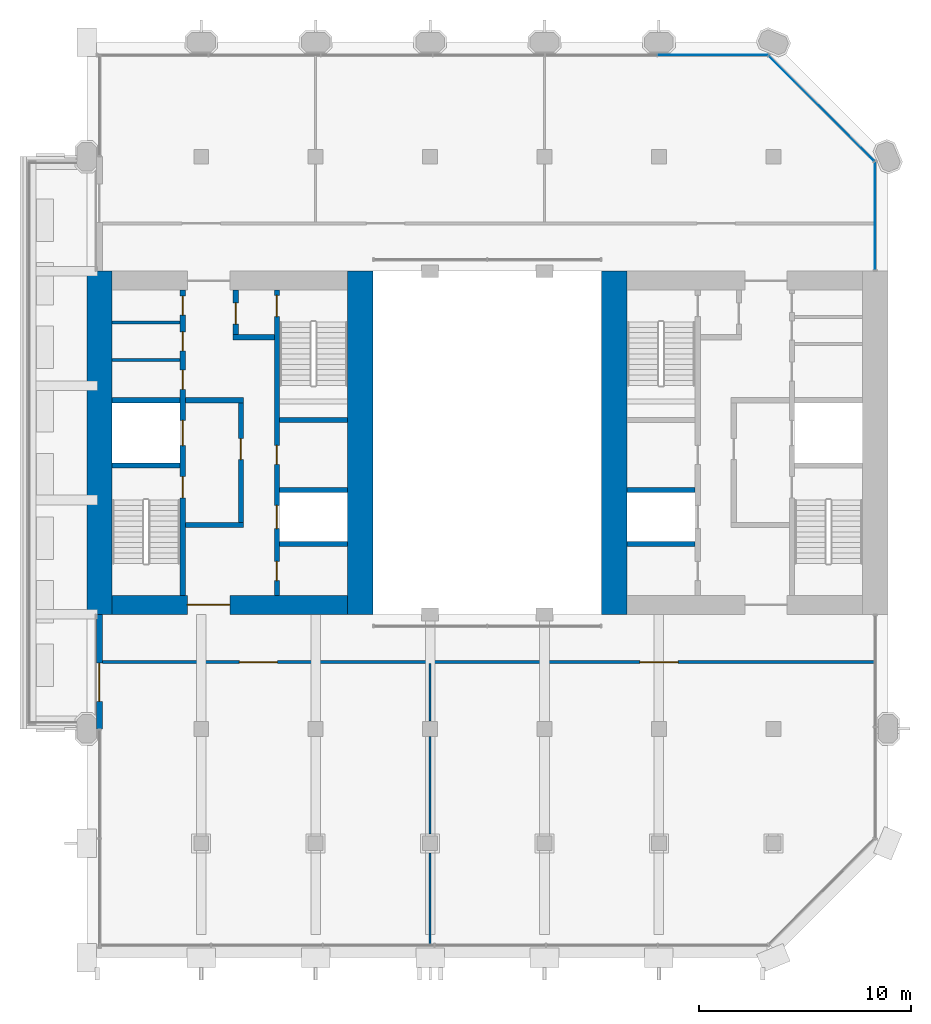
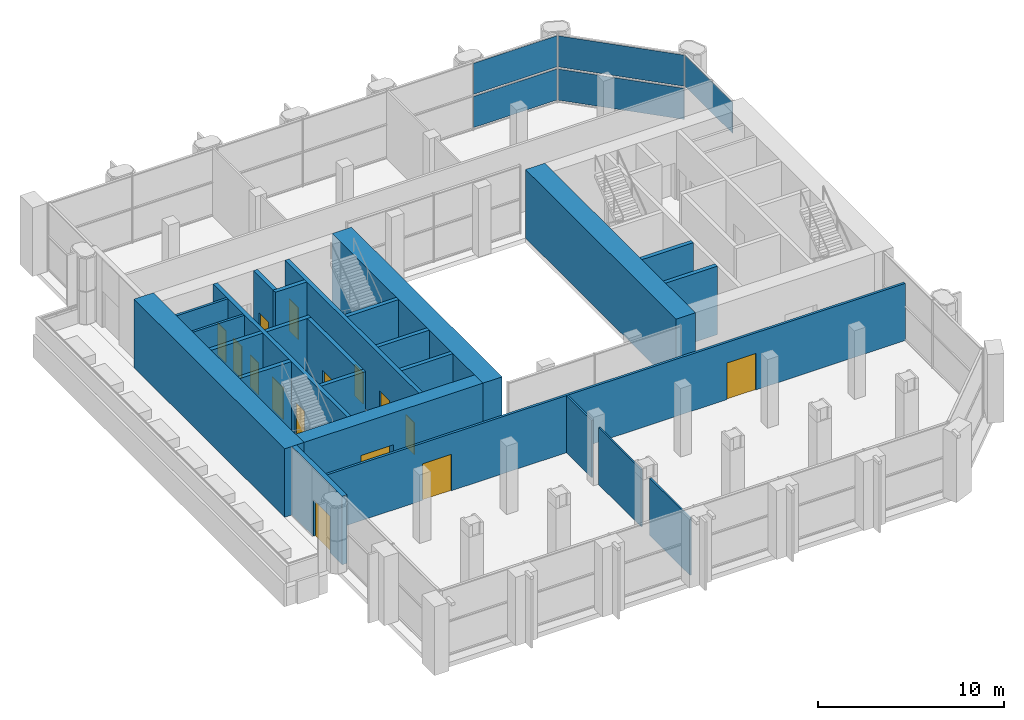
# One storey, part 9 of 14: 25 walls, 15 doors, 5 plates, 15 openings, 3 elements without a shape of their own.
"""IFC4 building model written with IfcOpenShell, lengths in metres."""

from ifc_helpers import new_model, si_unit, direction, frame, frame_2d, origin, origin_2d, place, context, subcontext, project, spatial, rectangle, extrude, material, layer, layer_set, type_object, element, fill, aggregate, save


model = new_model("IFC4")

# Units and contexts
model_context = context("Model", 3, precision=1e-05, world=origin(), true_north=direction((0.0, 1.0)))
body_context = subcontext(model_context, "Body", "Model", "MODEL_VIEW")
ifc_project = project(units=[si_unit("LENGTHUNIT", "METRE"), si_unit("AREAUNIT", "SQUARE_METRE"), si_unit("VOLUMEUNIT", "CUBIC_METRE"), si_unit("PLANEANGLEUNIT", "RADIAN"), si_unit("MASSUNIT", "GRAM", prefix="KILO")], contexts=[model_context])

# Site, building, storey
site_placement = place(None, origin())
site = spatial("IfcSite", under=ifc_project, at=site_placement, CompositionType="ELEMENT")
building_placement = place(site_placement, origin())
building = spatial("IfcBuilding", under=site, at=building_placement, Name="Tabaq Tower and Sports Hall", CompositionType="ELEMENT")
storey_placement = place(building_placement, frame((0.0, 0.0, 260.5)))
storey = spatial("IfcBuildingStorey", under=building, at=storey_placement, Name="L63", CompositionType="ELEMENT", Elevation=260.5)

# Curtain wall, plate
ifc_material_1 = material(Name="Aluminium alloy 6063-T6 framed glazing", Category="aluminium")
curtain_wall_type = type_object("IfcCurtainWallType", Name="CW3 curtain wall", PredefinedType="USERDEFINED", material=ifc_material_1)
curtain_wall_1_placement = place(storey_placement, origin())
curtain_wall_1 = element("IfcCurtainWall", 1, at=curtain_wall_1_placement, inside=storey, type_object=curtain_wall_type, Name="Garden Floor Wall L63 E", ObjectType="GARDEN FLOOR WALL", PredefinedType="USERDEFINED")
ifc_material_2 = material(Name="Clear low-emissivity glass 28 mm", Category="glass")
ifc_layer_1 = layer(ifc_material_2, 0.028076171875)
ifc_layer_set_1 = layer_set([ifc_layer_1], Name="CW3 glass panel 28")
plate_type = type_object("IfcPlateType", Name="CW3 glass panel 28", PredefinedType="CURTAIN_PANEL", material=ifc_layer_set_1)
plate_1_placement = place(storey_placement, frame((42.60009765625, 35.0068359375, 2.320068359375), z_axis=(0.0, 0.0, 1.0), x_axis=(0.0, 1.0, 0.0)))
plate_1 = element("IfcPlate", 2, at=plate_1_placement, type_object=plate_type, Name="CW3 panel 1.2", PredefinedType="CURTAIN_PANEL", context=body_context, shape_type="SweptSolid", body=[
    extrude(rectangle(XDim=5.093505859375, YDim=0.028076171875, at=origin_2d()), origin(), (0.0, 0.0, 1.0), 2.0400390625),
])
aggregate(curtain_wall_1, [plate_1])

# Curtain wall, plates
curtain_wall_2_placement = place(storey_placement, origin())
curtain_wall_2 = element("IfcCurtainWall", 3, at=curtain_wall_2_placement, inside=storey, type_object=curtain_wall_type, Name="Garden Floor Wall L63 NE", ObjectType="GARDEN FLOOR WALL", PredefinedType="USERDEFINED")
plate_2_placement = place(storey_placement, frame((40.07568359375, 40.07568359375, 0.139892578125), z_axis=(0.0, 0.0, 1.0), x_axis=(-0.707106781187, 0.707106781187, 0.0)))
plate_2 = element("IfcPlate", 4, at=plate_2_placement, type_object=plate_type, Name="CW3 panel 1.1", PredefinedType="CURTAIN_PANEL", context=body_context, shape_type="SweptSolid", body=[
    extrude(rectangle(XDim=7.019775390625, YDim=0.028076171875, at=origin_2d()), origin(), (0.0, 0.0, 1.0), 2.0400390625),
])
plate_3_placement = place(storey_placement, frame((40.07568359375, 40.07568359375, 2.320068359375), z_axis=(0.0, 0.0, 1.0), x_axis=(-0.707106781187, 0.707106781187, 0.0)))
plate_3 = element("IfcPlate", 5, at=plate_3_placement, type_object=plate_type, Name="CW3 panel 1.2", PredefinedType="CURTAIN_PANEL", context=body_context, shape_type="SweptSolid", body=[
    extrude(rectangle(XDim=7.019775390625, YDim=0.028076171875, at=origin_2d()), origin(), (0.0, 0.0, 1.0), 2.0400390625),
])
aggregate(curtain_wall_2, [plate_2, plate_3])

curtain_wall_3_placement = place(storey_placement, origin())
curtain_wall_3 = element("IfcCurtainWall", 6, at=curtain_wall_3_placement, inside=storey, type_object=curtain_wall_type, Name="Garden Floor Wall L63 N", ObjectType="GARDEN FLOOR WALL", PredefinedType="USERDEFINED")
plate_4_placement = place(storey_placement, frame((34.95166015625, 42.60009765625, 0.139892578125), z_axis=(0.0, 0.0, 1.0), x_axis=(-1.0, 0.0, 0.0)))
plate_4 = element("IfcPlate", 7, at=plate_4_placement, type_object=plate_type, Name="CW3 panel 1.1", PredefinedType="CURTAIN_PANEL", context=body_context, shape_type="SweptSolid", body=[
    extrude(rectangle(XDim=5.203857421875, YDim=0.028076171875, at=origin_2d()), origin(), (0.0, 0.0, 1.0), 2.0400390625),
])
plate_5_placement = place(storey_placement, frame((34.95166015625, 42.60009765625, 2.320068359375), z_axis=(0.0, 0.0, 1.0), x_axis=(-1.0, 0.0, 0.0)))
plate_5 = element("IfcPlate", 8, at=plate_5_placement, type_object=plate_type, Name="CW3 panel 1.2", PredefinedType="CURTAIN_PANEL", context=body_context, shape_type="SweptSolid", body=[
    extrude(rectangle(XDim=5.203857421875, YDim=0.028076171875, at=origin_2d()), origin(), (0.0, 0.0, 1.0), 2.0400390625),
])
aggregate(curtain_wall_3, [plate_4, plate_5])

# Walls
ifc_material_3 = material(Name="Blockwork", Category="masonry")
ifc_layer_2 = layer(ifc_material_3, 0.14990234375)
ifc_layer_set_2 = layer_set([ifc_layer_2], Name="Core room partition 150 Blockwork")
wall_type_1 = type_object("IfcWallType", Name="Core room partition 150 Blockwork", PredefinedType="PARTITIONING", material=ifc_layer_set_2)
for number, where, z_axis, x_axis, name in (
    (9, (6.60009765625, 28.200927734375, 0.0), (0.0, 0.0, 1.0), (1.0, 0.0, 0.0), "Core room partition W L63"),
    (10, (6.60009765625, 29.97705078125, 0.0), (0.0, 0.0, 1.0), (1.0, 0.0, 0.0), "Core room partition W L63"),
):
    element("IfcWall", number, at=place(storey_placement, frame(where, z_axis=z_axis, x_axis=x_axis)), inside=storey, type_object=wall_type_1, Name=name, PredefinedType="PARTITIONING", context=body_context, shape_type="SweptSolid", body=[
        extrude(rectangle(XDim=3.199951171875, YDim=0.14990234375, at=frame_2d((1.60009765625, 0.0))), origin(), (0.0, 0.0, 1.0), 4.5),
    ])
ifc_material_4 = material(Name="Concrete C40/50", Category="concrete")
ifc_layer_3 = layer(ifc_material_4, 1.199951171875)
ifc_layer_set_3 = layer_set([ifc_layer_3], Name="Core wall 1200 Concrete C40/50")
wall_type_2 = type_object("IfcWallType", Name="Core wall 1200 Concrete C40/50", PredefinedType="SOLIDWALL", material=ifc_layer_set_3)
for number, where, z_axis, x_axis, name in (
    (11, (6.0, 16.199951171875, 0.0), (0.0, 0.0, 1.0), (0.0, 1.0, 0.0), "Core wall W L63"),
    (12, (18.300048828125, 32.39990234375, 0.0), (0.0, 0.0, 1.0), (0.0, -1.0, 0.0), "Core wall W L63"),
    (13, (30.300048828125, 16.199951171875, 0.0), (0.0, 0.0, 1.0), (0.0, 1.0, 0.0), "Core wall E L63"),
):
    element("IfcWall", number, at=place(storey_placement, frame(where, z_axis=z_axis, x_axis=x_axis)), inside=storey, type_object=wall_type_2, Name=name, PredefinedType="SOLIDWALL", context=body_context, shape_type="SweptSolid", body=[
        extrude(rectangle(XDim=16.199951171875, YDim=1.199951171875, at=frame_2d((8.10009765625, 0.0))), origin(), (0.0, 0.0, 1.0), 4.5),
    ])

# Wall, opening, door
ifc_material_5 = material(Name="Concrete C40/50", Category="concrete")
ifc_layer_4 = layer(ifc_material_5, 0.89990234375)
ifc_layer_set_4 = layer_set([ifc_layer_4], Name="Core wall 900 Concrete C40/50")
wall_type_3 = type_object("IfcWallType", Name="Core wall 900 Concrete C40/50", PredefinedType="SOLIDWALL", material=ifc_layer_set_4)
wall_1_placement = place(storey_placement, frame((17.699951171875, 16.64990234375, 0.0), z_axis=(0.0, 0.0, 1.0), x_axis=(-1.0, 0.0, 0.0)))
wall_1 = element("IfcWall", 14, at=wall_1_placement, inside=storey, type_object=wall_type_3, Name="Core wall W L63", PredefinedType="SOLIDWALL", context=body_context, shape_type="SweptSolid", body=[
    extrude(rectangle(XDim=11.099853515625, YDim=0.89990234375, at=frame_2d((5.5498046875, 0.0))), origin(), (0.0, 0.0, 1.0), 4.5),
])
opening_1_placement = place(wall_1_placement, frame((5.550048828125, 0.0, 0.0)))
opening_1 = element("IfcOpeningElement", 15, at=opening_1_placement, cuts=wall_1, Name="Opening PD-WL63-01", PredefinedType="OPENING", context=body_context, shape_type="SweptSolid", body=[
    extrude(rectangle(XDim=2.0, YDim=2.39990234375, at=frame_2d((1.0, 1.199951171875))), frame((0.0, 0.449951171875, 0.0), z_axis=(0.0, -1.0, 0.0), x_axis=(1.0, 0.0, 0.0)), (0.0, 0.0, 1.0), 0.89990234375),
])
ifc_material_6 = material(Name="Steel fire door", Category="steel")
door_type_1 = type_object("IfcDoorType", Name="Core entrance door 2000", OperationType="DOUBLE_DOOR_SINGLE_SWING", PredefinedType="DOOR", material=ifc_material_6)
door_1_placement = place(opening_1_placement, origin())
door_1 = element("IfcDoor", 16, at=door_1_placement, inside=storey, type_object=door_type_1, Name="Core entrance south W L63", OperationType="DOUBLE_DOOR_SINGLE_SWING", OverallHeight=2.39990234375, OverallWidth=2.0, PredefinedType="DOOR", context=body_context, shape_type="SweptSolid", body=[
    extrude(rectangle(XDim=2.0, YDim=2.39990234375, at=frame_2d((1.0, 1.199951171875))), frame((0.0, 0.02490234375, 0.0), z_axis=(0.0, -1.0, 0.0), x_axis=(1.0, 0.0, 0.0)), (0.0, 0.0, 1.0), 0.050048828125),
])
fill(opening_1, door_1)

# Walls
ifc_material_7 = material(Name="Gypsum board on steel studs", Category="steel")
ifc_layer_5 = layer(ifc_material_7, 0.10009765625)
ifc_layer_set_5 = layer_set([ifc_layer_5], Name="Partition 100 Gypsum board")
wall_type_4 = type_object("IfcWallType", Name="Partition 100 Gypsum board", PredefinedType="PARTITIONING", material=ifc_layer_set_5)
wall_2_placement = place(storey_placement, frame((21.60009765625, 13.875, 0.0), z_axis=(0.0, 0.0, 1.0), x_axis=(0.0, -1.0, 0.0)))
element("IfcWall", 17, at=wall_2_placement, inside=storey, type_object=wall_type_4, Name="Partition wall L63", PredefinedType="PARTITIONING", context=body_context, shape_type="SweptSolid", body=[
    extrude(rectangle(XDim=2.705078125, YDim=0.10009765625, at=frame_2d((1.3525390625, 0.0))), origin(), (0.0, 0.0, 1.0), 3.75),
])
wall_3_placement = place(storey_placement, frame((21.60009765625, 10.429931640625, 0.0), z_axis=(0.0, 0.0, 1.0), x_axis=(0.0, -1.0, 0.0)))
element("IfcWall", 18, at=wall_3_placement, inside=storey, type_object=wall_type_4, Name="Partition wall L63", PredefinedType="PARTITIONING", context=body_context, shape_type="SweptSolid", body=[
    extrude(rectangle(XDim=4.579345703125, YDim=0.10009765625, at=frame_2d((2.28955078125, 0.0))), origin(), (0.0, 0.0, 1.0), 3.75),
])
wall_4_placement = place(storey_placement, frame((21.60009765625, 4.94921875, 0.0), z_axis=(0.0, 0.0, 1.0), x_axis=(0.0, -1.0, 0.0)))
element("IfcWall", 19, at=wall_4_placement, inside=storey, type_object=wall_type_4, Name="Partition wall L63", PredefinedType="PARTITIONING", context=body_context, shape_type="SweptSolid", body=[
    extrude(rectangle(XDim=4.34912109375, YDim=0.10009765625, at=frame_2d((2.174560546875, 0.0))), origin(), (0.0, 0.0, 1.0), 3.75),
])

# Wall, openings, doors
ifc_material_8 = material(Name="Blockwork", Category="masonry")
ifc_layer_6 = layer(ifc_material_8, 0.14990234375)
ifc_layer_set_6 = layer_set([ifc_layer_6], Name="Separating wall 150 Blockwork")
wall_type_5 = type_object("IfcWallType", Name="Separating wall 150 Blockwork", PredefinedType="PARTITIONING", material=ifc_layer_set_6)
wall_5_placement = place(storey_placement, frame((42.60009765625, 13.949951171875, 0.0), z_axis=(0.0, 0.0, 1.0), x_axis=(-1.0, 0.0, 0.0)))
wall_5 = element("IfcWall", 20, at=wall_5_placement, inside=storey, type_object=wall_type_5, Name="Separating wall L63", PredefinedType="PARTITIONING", context=body_context, shape_type="SweptSolid", body=[
    extrude(rectangle(XDim=36.44921875, YDim=0.14990234375, at=frame_2d((18.224609375, 0.0))), origin(), (0.0, 0.0, 1.0), 3.75),
])
opening_2_placement = place(wall_5_placement, frame((9.300048828125, 0.0, 0.0)))
opening_2 = element("IfcOpeningElement", 21, at=opening_2_placement, cuts=wall_5, Name="Opening L63-004", PredefinedType="OPENING", context=body_context, shape_type="SweptSolid", body=[
    extrude(rectangle(XDim=1.800048828125, YDim=2.39990234375, at=frame_2d((0.89990234375, 1.199951171875))), frame((0.0, 0.074951171875, 0.0), z_axis=(0.0, -1.0, 0.0), x_axis=(1.0, 0.0, 0.0)), (0.0, 0.0, 1.0), 0.14990234375),
])
opening_3_placement = place(wall_5_placement, frame((28.199951171875, 0.0, 0.0)))
opening_3 = element("IfcOpeningElement", 22, at=opening_3_placement, cuts=wall_5, Name="Opening L63-005", PredefinedType="OPENING", context=body_context, shape_type="SweptSolid", body=[
    extrude(rectangle(XDim=1.800048828125, YDim=2.39990234375, at=frame_2d((0.89990234375, 1.199951171875))), frame((0.0, 0.074951171875, 0.0), z_axis=(0.0, -1.0, 0.0), x_axis=(1.0, 0.0, 0.0)), (0.0, 0.0, 1.0), 0.14990234375),
])
ifc_material_9 = material(Name="Timber leaf in steel frame", Category="steel")
door_type_2 = type_object("IfcDoorType", Name="Internal door 1800", OperationType="DOUBLE_DOOR_SINGLE_SWING", PredefinedType="DOOR", material=ifc_material_9)
door_2_placement = place(opening_2_placement, origin())
door_2 = element("IfcDoor", 23, at=door_2_placement, inside=storey, type_object=door_type_2, Name="Internal door L63-004", OperationType="DOUBLE_DOOR_SINGLE_SWING", OverallHeight=2.39990234375, OverallWidth=1.800048828125, PredefinedType="DOOR", context=body_context, shape_type="SweptSolid", body=[
    extrude(rectangle(XDim=1.800048828125, YDim=2.39990234375, at=frame_2d((0.89990234375, 1.199951171875))), frame((0.0, 0.02490234375, 0.0), z_axis=(0.0, -1.0, 0.0), x_axis=(1.0, 0.0, 0.0)), (0.0, 0.0, 1.0), 0.050048828125),
])
fill(opening_2, door_2)
door_3_placement = place(opening_3_placement, origin())
door_3 = element("IfcDoor", 24, at=door_3_placement, inside=storey, type_object=door_type_2, Name="Internal door L63-005", OperationType="DOUBLE_DOOR_SINGLE_SWING", OverallHeight=2.39990234375, OverallWidth=1.800048828125, PredefinedType="DOOR", context=body_context, shape_type="SweptSolid", body=[
    extrude(rectangle(XDim=1.800048828125, YDim=2.39990234375, at=frame_2d((0.89990234375, 1.199951171875))), frame((0.0, 0.02490234375, 0.0), z_axis=(0.0, -1.0, 0.0), x_axis=(1.0, 0.0, 0.0)), (0.0, 0.0, 1.0), 0.050048828125),
])
fill(opening_3, door_3)

ifc_material_10 = material(Name="Concrete C40/50", Category="concrete")
ifc_layer_7 = layer(ifc_material_10, 0.25)
ifc_layer_set_7 = layer_set([ifc_layer_7], Name="Shaft and stair wall 250 Concrete C40/50")
wall_type_6 = type_object("IfcWallType", Name="Shaft and stair wall 250 Concrete C40/50", PredefinedType="SOLIDWALL", material=ifc_layer_set_7)
wall_6_placement = place(storey_placement, frame((9.925048828125, 17.10009765625, 0.0), z_axis=(0.0, 0.0, 1.0), x_axis=(0.0, 1.0, 0.0)))
wall_6 = element("IfcWall", 25, at=wall_6_placement, inside=storey, type_object=wall_type_6, Name="Shaft wall W L63", PredefinedType="SOLIDWALL", context=body_context, shape_type="SweptSolid", body=[
    extrude(rectangle(XDim=14.39990234375, YDim=0.25, at=frame_2d((7.199951171875, 0.0))), origin(), (0.0, 0.0, 1.0), 4.5),
])
opening_4_placement = place(wall_6_placement, frame((4.60009765625, 0.0, 0.0)))
opening_4 = element("IfcOpeningElement", 26, at=opening_4_placement, cuts=wall_6, Name="Opening SD-WL63-03", PredefinedType="OPENING", context=body_context, shape_type="SweptSolid", body=[
    extrude(rectangle(XDim=1.0, YDim=2.10009765625, at=frame_2d((0.5, 1.050048828125))), frame((0.0, 0.125, 0.0), z_axis=(0.0, -1.0, 0.0), x_axis=(1.0, 0.0, 0.0)), (0.0, 0.0, 1.0), 0.25),
])
opening_5_placement = place(wall_6_placement, frame((7.0625, 0.0, 0.0)))
opening_5 = element("IfcOpeningElement", 27, at=opening_5_placement, cuts=wall_6, Name="Opening LD-FF1-L63", PredefinedType="OPENING", context=body_context, shape_type="SweptSolid", body=[
    extrude(rectangle(XDim=1.199951171875, YDim=2.10009765625, at=frame_2d((0.60009765625, 1.050048828125))), frame((0.0, 0.125, 0.0), z_axis=(0.0, -1.0, 0.0), x_axis=(1.0, 0.0, 0.0)), (0.0, 0.0, 1.0), 0.25),
])
opening_6_placement = place(wall_6_placement, frame((9.7255859375, 0.0, 0.0)))
opening_6 = element("IfcOpeningElement", 28, at=opening_6_placement, cuts=wall_6, Name="Opening RD-WL63-09", PredefinedType="OPENING", context=body_context, shape_type="SweptSolid", body=[
    extrude(rectangle(XDim=0.89990234375, YDim=2.10009765625, at=frame_2d((0.449951171875, 1.050048828125))), frame((0.0, 0.125, 0.0), z_axis=(0.0, -1.0, 0.0), x_axis=(1.0, 0.0, 0.0)), (0.0, 0.0, 1.0), 0.25),
])
opening_7_placement = place(wall_6_placement, frame((11.5390625, 0.0, 0.0)))
opening_7 = element("IfcOpeningElement", 29, at=opening_7_placement, cuts=wall_6, Name="Opening RD-WL63-10", PredefinedType="OPENING", context=body_context, shape_type="SweptSolid", body=[
    extrude(rectangle(XDim=0.89990234375, YDim=2.10009765625, at=frame_2d((0.449951171875, 1.050048828125))), frame((0.0, 0.125, 0.0), z_axis=(0.0, -1.0, 0.0), x_axis=(1.0, 0.0, 0.0)), (0.0, 0.0, 1.0), 0.25),
])
opening_8_placement = place(wall_6_placement, frame((13.22607421875, 0.0, 0.0)))
opening_8 = element("IfcOpeningElement", 30, at=opening_8_placement, cuts=wall_6, Name="Opening RD-WL63-11", PredefinedType="OPENING", context=body_context, shape_type="SweptSolid", body=[
    extrude(rectangle(XDim=0.89990234375, YDim=2.10009765625, at=frame_2d((0.449951171875, 1.050048828125))), frame((0.0, 0.125, 0.0), z_axis=(0.0, -1.0, 0.0), x_axis=(1.0, 0.0, 0.0)), (0.0, 0.0, 1.0), 0.25),
])
ifc_material_11 = material(Name="Steel fire door", Category="steel")
door_type_3 = type_object("IfcDoorType", Name="Core room door 900", OperationType="SINGLE_SWING_LEFT", PredefinedType="DOOR", material=ifc_material_11)
door_4_placement = place(opening_6_placement, origin())
door_4 = element("IfcDoor", 31, at=door_4_placement, inside=storey, type_object=door_type_3, Name="Door Accessible WC W L63", OperationType="SINGLE_SWING_LEFT", OverallHeight=2.10009765625, OverallWidth=0.89990234375, PredefinedType="DOOR", context=body_context, shape_type="SweptSolid", body=[
    extrude(rectangle(XDim=0.89990234375, YDim=2.10009765625, at=frame_2d((0.449951171875, 1.050048828125))), frame((0.0, 0.02490234375, 0.0), z_axis=(0.0, -1.0, 0.0), x_axis=(1.0, 0.0, 0.0)), (0.0, 0.0, 1.0), 0.050048828125),
])
fill(opening_6, door_4)
door_5_placement = place(opening_7_placement, origin())
door_5 = element("IfcDoor", 32, at=door_5_placement, inside=storey, type_object=door_type_3, Name="Door Unisex WC W L63", OperationType="SINGLE_SWING_LEFT", OverallHeight=2.10009765625, OverallWidth=0.89990234375, PredefinedType="DOOR", context=body_context, shape_type="SweptSolid", body=[
    extrude(rectangle(XDim=0.89990234375, YDim=2.10009765625, at=frame_2d((0.449951171875, 1.050048828125))), frame((0.0, 0.02490234375, 0.0), z_axis=(0.0, -1.0, 0.0), x_axis=(1.0, 0.0, 0.0)), (0.0, 0.0, 1.0), 0.050048828125),
])
fill(opening_7, door_5)
door_6_placement = place(opening_8_placement, origin())
door_6 = element("IfcDoor", 33, at=door_6_placement, inside=storey, type_object=door_type_3, Name="Door Cleaner's Store W L63", OperationType="SINGLE_SWING_LEFT", OverallHeight=2.10009765625, OverallWidth=0.89990234375, PredefinedType="DOOR", context=body_context, shape_type="SweptSolid", body=[
    extrude(rectangle(XDim=0.89990234375, YDim=2.10009765625, at=frame_2d((0.449951171875, 1.050048828125))), frame((0.0, 0.02490234375, 0.0), z_axis=(0.0, -1.0, 0.0), x_axis=(1.0, 0.0, 0.0)), (0.0, 0.0, 1.0), 0.050048828125),
])
fill(opening_8, door_6)
ifc_material_12 = material(Name="Stainless steel", Category="steel")
door_type_4 = type_object("IfcDoorType", Name="Lift landing door 1200", OperationType="DOUBLE_DOOR_SLIDING", PredefinedType="DOOR", material=ifc_material_12)
door_7_placement = place(opening_5_placement, origin())
door_7 = element("IfcDoor", 34, at=door_7_placement, inside=storey, type_object=door_type_4, Name="Lift landing door FF1 W L63", OperationType="DOUBLE_DOOR_SLIDING", OverallHeight=2.10009765625, OverallWidth=1.199951171875, PredefinedType="DOOR", context=body_context, shape_type="SweptSolid", body=[
    extrude(rectangle(XDim=1.199951171875, YDim=2.10009765625, at=frame_2d((0.60009765625, 1.050048828125))), frame((0.0, 0.02490234375, 0.0), z_axis=(0.0, -1.0, 0.0), x_axis=(1.0, 0.0, 0.0)), (0.0, 0.0, 1.0), 0.050048828125),
])
fill(opening_5, door_7)
ifc_material_13 = material(Name="Steel fire door", Category="steel")
door_type_5 = type_object("IfcDoorType", Name="Stair door 1000", OperationType="SINGLE_SWING_LEFT", PredefinedType="DOOR", material=ifc_material_13)
door_8_placement = place(opening_4_placement, origin())
door_8 = element("IfcDoor", 35, at=door_8_placement, inside=storey, type_object=door_type_5, Name="Stair door ST1 W L63", OperationType="SINGLE_SWING_LEFT", OverallHeight=2.10009765625, OverallWidth=1.0, PredefinedType="DOOR", context=body_context, shape_type="SweptSolid", body=[
    extrude(rectangle(XDim=1.0, YDim=2.10009765625, at=frame_2d((0.5, 1.050048828125))), frame((0.0, 0.02490234375, 0.0), z_axis=(0.0, -1.0, 0.0), x_axis=(1.0, 0.0, 0.0)), (0.0, 0.0, 1.0), 0.050048828125),
])
fill(opening_4, door_8)

wall_7_placement = place(storey_placement, frame((14.375, 17.10009765625, 0.0), z_axis=(0.0, 0.0, 1.0), x_axis=(0.0, 1.0, 0.0)))
wall_7 = element("IfcWall", 36, at=wall_7_placement, inside=storey, type_object=wall_type_6, Name="Shaft wall W L63", PredefinedType="SOLIDWALL", context=body_context, shape_type="SweptSolid", body=[
    extrude(rectangle(XDim=14.39990234375, YDim=0.25, at=frame_2d((7.199951171875, 0.0))), origin(), (0.0, 0.0, 1.0), 4.5),
])
opening_9_placement = place(wall_7_placement, frame((13.14990234375, 0.0, 0.0)))
opening_9 = element("IfcOpeningElement", 37, at=opening_9_placement, cuts=wall_7, Name="Opening SD-WL63-05", PredefinedType="OPENING", context=body_context, shape_type="SweptSolid", body=[
    extrude(rectangle(XDim=1.0, YDim=2.10009765625, at=frame_2d((0.5, 1.050048828125))), frame((0.0, 0.125, 0.0), z_axis=(0.0, -1.0, 0.0), x_axis=(1.0, 0.0, 0.0)), (0.0, 0.0, 1.0), 0.25),
])
opening_10_placement = place(wall_7_placement, frame((3.14990234375, 0.0, 0.0)))
opening_10 = element("IfcOpeningElement", 38, at=opening_10_placement, cuts=wall_7, Name="Opening LD-HR1-L63", PredefinedType="OPENING", context=body_context, shape_type="SweptSolid", body=[
    extrude(rectangle(XDim=1.10009765625, YDim=2.10009765625, at=frame_2d((0.550048828125, 1.050048828125))), frame((0.0, 0.125, 0.0), z_axis=(0.0, -1.0, 0.0), x_axis=(1.0, 0.0, 0.0)), (0.0, 0.0, 1.0), 0.25),
])
opening_11_placement = place(wall_7_placement, frame((0.699951171875, 0.0, 0.0)))
opening_11 = element("IfcOpeningElement", 39, at=opening_11_placement, cuts=wall_7, Name="Opening RD-WL63-12", PredefinedType="OPENING", context=body_context, shape_type="SweptSolid", body=[
    extrude(rectangle(XDim=0.89990234375, YDim=2.10009765625, at=frame_2d((0.449951171875, 1.050048828125))), frame((0.0, 0.125, 0.0), z_axis=(0.0, -1.0, 0.0), x_axis=(1.0, 0.0, 0.0)), (0.0, 0.0, 1.0), 0.25),
])
opening_12_placement = place(wall_7_placement, frame((6.175048828125, 0.0, 0.0)))
opening_12 = element("IfcOpeningElement", 40, at=opening_12_placement, cuts=wall_7, Name="Opening RD-WL63-13", PredefinedType="OPENING", context=body_context, shape_type="SweptSolid", body=[
    extrude(rectangle(XDim=0.89990234375, YDim=2.10009765625, at=frame_2d((0.449951171875, 1.050048828125))), frame((0.0, 0.125, 0.0), z_axis=(0.0, -1.0, 0.0), x_axis=(1.0, 0.0, 0.0)), (0.0, 0.0, 1.0), 0.25),
])
door_9_placement = place(opening_11_placement, origin())
door_9 = element("IfcDoor", 41, at=door_9_placement, inside=storey, type_object=door_type_3, Name="Door Electrical Riser Room W L63", OperationType="SINGLE_SWING_LEFT", OverallHeight=2.10009765625, OverallWidth=0.89990234375, PredefinedType="DOOR", context=body_context, shape_type="SweptSolid", body=[
    extrude(rectangle(XDim=0.89990234375, YDim=2.10009765625, at=frame_2d((0.449951171875, 1.050048828125))), frame((0.0, 0.02490234375, 0.0), z_axis=(0.0, -1.0, 0.0), x_axis=(1.0, 0.0, 0.0)), (0.0, 0.0, 1.0), 0.050048828125),
])
fill(opening_11, door_9)
door_10_placement = place(opening_12_placement, origin())
door_10 = element("IfcDoor", 42, at=door_10_placement, inside=storey, type_object=door_type_3, Name="Door Riser Room W L63", OperationType="SINGLE_SWING_LEFT", OverallHeight=2.10009765625, OverallWidth=0.89990234375, PredefinedType="DOOR", context=body_context, shape_type="SweptSolid", body=[
    extrude(rectangle(XDim=0.89990234375, YDim=2.10009765625, at=frame_2d((0.449951171875, 1.050048828125))), frame((0.0, 0.02490234375, 0.0), z_axis=(0.0, -1.0, 0.0), x_axis=(1.0, 0.0, 0.0)), (0.0, 0.0, 1.0), 0.050048828125),
])
fill(opening_12, door_10)
ifc_material_14 = material(Name="Stainless steel", Category="steel")
door_type_6 = type_object("IfcDoorType", Name="Lift landing door 1100", OperationType="DOUBLE_DOOR_SLIDING", PredefinedType="DOOR", material=ifc_material_14)
door_11_placement = place(opening_10_placement, origin())
door_11 = element("IfcDoor", 43, at=door_11_placement, inside=storey, type_object=door_type_6, Name="Lift landing door HR1 W L63", OperationType="DOUBLE_DOOR_SLIDING", OverallHeight=2.10009765625, OverallWidth=1.10009765625, PredefinedType="DOOR", context=body_context, shape_type="SweptSolid", body=[
    extrude(rectangle(XDim=1.10009765625, YDim=2.10009765625, at=frame_2d((0.550048828125, 1.050048828125))), frame((0.0, 0.02490234375, 0.0), z_axis=(0.0, -1.0, 0.0), x_axis=(1.0, 0.0, 0.0)), (0.0, 0.0, 1.0), 0.050048828125),
])
fill(opening_10, door_11)
door_12_placement = place(opening_9_placement, origin())
door_12 = element("IfcDoor", 44, at=door_12_placement, inside=storey, type_object=door_type_5, Name="Stair door ST2 W L63", OperationType="SINGLE_SWING_LEFT", OverallHeight=2.10009765625, OverallWidth=1.0, PredefinedType="DOOR", context=body_context, shape_type="SweptSolid", body=[
    extrude(rectangle(XDim=1.0, YDim=2.10009765625, at=frame_2d((0.5, 1.050048828125))), frame((0.0, 0.02490234375, 0.0), z_axis=(0.0, -1.0, 0.0), x_axis=(1.0, 0.0, 0.0)), (0.0, 0.0, 1.0), 0.050048828125),
])
fill(opening_9, door_12)

# Walls
for number, where, z_axis, x_axis, name in (
    (45, (6.60009765625, 23.22509765625, 0.0), (0.0, 0.0, 1.0), (1.0, 0.0, 0.0), "Stair enclosure wall W L63"),
    (46, (14.5, 25.375, 0.0), (0.0, 0.0, 1.0), (1.0, 0.0, 0.0), "Stair enclosure wall W L63"),
    (47, (14.5, 22.074951171875, 0.0), (0.0, 0.0, 1.0), (1.0, 0.0, 0.0), "Shaft wall W L63"),
    (48, (6.60009765625, 26.300048828125, 0.0), (0.0, 0.0, 1.0), (1.0, 0.0, 0.0), "Shaft wall W L63"),
):
    element("IfcWall", number, at=place(storey_placement, frame(where, z_axis=z_axis, x_axis=x_axis)), inside=storey, type_object=wall_type_6, Name=name, PredefinedType="SOLIDWALL", context=body_context, shape_type="SweptSolid", body=[
        extrude(rectangle(XDim=3.199951171875, YDim=0.25, at=frame_2d((1.60009765625, 0.0))), origin(), (0.0, 0.0, 1.0), 4.5),
    ])
for number, where, z_axis, x_axis, name in (
    (49, (10.050048828125, 26.300048828125, 0.0), (0.0, 0.0, 1.0), (1.0, 0.0, 0.0), "Fire-fighting lobby wall W L63"),
    (50, (10.050048828125, 20.425048828125, 0.0), (0.0, 0.0, 1.0), (1.0, 0.0, 0.0), "Fire-fighting lobby wall W L63"),
):
    element("IfcWall", number, at=place(storey_placement, frame(where, z_axis=z_axis, x_axis=x_axis)), inside=storey, type_object=wall_type_6, Name=name, PredefinedType="SOLIDWALL", context=body_context, shape_type="SweptSolid", body=[
        extrude(rectangle(XDim=2.75, YDim=0.25, at=frame_2d((1.375, 0.0))), origin(), (0.0, 0.0, 1.0), 4.5),
    ])

# Wall, opening, door
wall_8_placement = place(storey_placement, frame((12.425048828125, 29.39990234375, 0.0), z_axis=(0.0, 0.0, 1.0), x_axis=(0.0, 1.0, 0.0)))
wall_8 = element("IfcWall", 51, at=wall_8_placement, inside=storey, type_object=wall_type_6, Name="Fire-fighting lobby wall W L63", PredefinedType="SOLIDWALL", context=body_context, shape_type="SweptSolid", body=[
    extrude(rectangle(XDim=2.10009765625, YDim=0.25, at=frame_2d((1.050048828125, 0.0))), origin(), (0.0, 0.0, 1.0), 4.5),
])
opening_13_placement = place(wall_8_placement, frame((0.5, 0.0, 0.0)))
opening_13 = element("IfcOpeningElement", 52, at=opening_13_placement, cuts=wall_8, Name="Opening FD-WL63-06", PredefinedType="OPENING", context=body_context, shape_type="SweptSolid", body=[
    extrude(rectangle(XDim=1.0, YDim=2.10009765625, at=frame_2d((0.5, 1.050048828125))), frame((0.0, 0.125, 0.0), z_axis=(0.0, -1.0, 0.0), x_axis=(1.0, 0.0, 0.0)), (0.0, 0.0, 1.0), 0.25),
])
ifc_material_15 = material(Name="Steel fire door", Category="steel")
door_type_7 = type_object("IfcDoorType", Name="Fire-fighting lobby door 1000", OperationType="SINGLE_SWING_LEFT", PredefinedType="DOOR", material=ifc_material_15)
door_13_placement = place(opening_13_placement, origin())
door_13 = element("IfcDoor", 53, at=door_13_placement, inside=storey, type_object=door_type_7, Name="Stair lobby door W L63", OperationType="SINGLE_SWING_LEFT", OverallHeight=2.10009765625, OverallWidth=1.0, PredefinedType="DOOR", context=body_context, shape_type="SweptSolid", body=[
    extrude(rectangle(XDim=1.0, YDim=2.10009765625, at=frame_2d((0.5, 1.050048828125))), frame((0.0, 0.02490234375, 0.0), z_axis=(0.0, -1.0, 0.0), x_axis=(1.0, 0.0, 0.0)), (0.0, 0.0, 1.0), 0.050048828125),
])
fill(opening_13, door_13)

# Wall
wall_9_placement = place(storey_placement, frame((12.300048828125, 29.27490234375, 0.0), z_axis=(0.0, 0.0, 1.0), x_axis=(1.0, 0.0, 0.0)))
element("IfcWall", 54, at=wall_9_placement, inside=storey, type_object=wall_type_6, Name="Fire-fighting lobby wall W L63", PredefinedType="SOLIDWALL", context=body_context, shape_type="SweptSolid", body=[
    extrude(rectangle(XDim=1.949951171875, YDim=0.25, at=frame_2d((0.97509765625, 0.0))), origin(), (0.0, 0.0, 1.0), 4.5),
])

# Wall, opening, door
wall_10_placement = place(storey_placement, frame((12.675048828125, 20.550048828125, 0.0), z_axis=(0.0, 0.0, 1.0), x_axis=(0.0, 1.0, 0.0)))
wall_10 = element("IfcWall", 55, at=wall_10_placement, inside=storey, type_object=wall_type_6, Name="Fire-fighting lobby wall W L63", PredefinedType="SOLIDWALL", context=body_context, shape_type="SweptSolid", body=[
    extrude(rectangle(XDim=5.625, YDim=0.25, at=frame_2d((2.8125, 0.0))), origin(), (0.0, 0.0, 1.0), 4.5),
])
opening_14_placement = place(wall_10_placement, frame((2.949951171875, 0.0, 0.0)))
opening_14 = element("IfcOpeningElement", 56, at=opening_14_placement, cuts=wall_10, Name="Opening FD-WL63-04", PredefinedType="OPENING", context=body_context, shape_type="SweptSolid", body=[
    extrude(rectangle(XDim=1.0, YDim=2.10009765625, at=frame_2d((0.5, 1.050048828125))), frame((0.0, 0.125, 0.0), z_axis=(0.0, -1.0, 0.0), x_axis=(1.0, 0.0, 0.0)), (0.0, 0.0, 1.0), 0.25),
])
door_14_placement = place(opening_14_placement, origin())
door_14 = element("IfcDoor", 57, at=door_14_placement, inside=storey, type_object=door_type_7, Name="Fire-fighting lobby door W L63", OperationType="SINGLE_SWING_LEFT", OverallHeight=2.10009765625, OverallWidth=1.0, PredefinedType="DOOR", context=body_context, shape_type="SweptSolid", body=[
    extrude(rectangle(XDim=1.0, YDim=2.10009765625, at=frame_2d((0.5, 1.050048828125))), frame((0.0, 0.02490234375, 0.0), z_axis=(0.0, -1.0, 0.0), x_axis=(1.0, 0.0, 0.0)), (0.0, 0.0, 1.0), 0.050048828125),
])
fill(opening_14, door_14)

# Walls
wall_11_placement = place(storey_placement, frame((14.5, 19.52490234375, 0.0), z_axis=(0.0, 0.0, 1.0), x_axis=(1.0, 0.0, 0.0)))
element("IfcWall", 58, at=wall_11_placement, inside=storey, type_object=wall_type_6, Name="Shaft wall W L63", PredefinedType="SOLIDWALL", context=body_context, shape_type="SweptSolid", body=[
    extrude(rectangle(XDim=3.199951171875, YDim=0.25, at=frame_2d((1.60009765625, 0.0))), origin(), (0.0, 0.0, 1.0), 4.5),
])
for number, where, z_axis, x_axis, name in (
    (59, (30.89990234375, 22.074951171875, 0.0), (0.0, 0.0, 1.0), (1.0, 0.0, 0.0), "Shaft wall E L63"),
    (60, (30.89990234375, 19.52490234375, 0.0), (0.0, 0.0, 1.0), (1.0, 0.0, 0.0), "Shaft wall E L63"),
):
    element("IfcWall", number, at=place(storey_placement, frame(where, z_axis=z_axis, x_axis=x_axis)), inside=storey, type_object=wall_type_6, Name=name, PredefinedType="SOLIDWALL", context=body_context, shape_type="SweptSolid", body=[
        extrude(rectangle(XDim=3.2001953125, YDim=0.25, at=frame_2d((1.60009765625, 0.0))), origin(), (0.0, 0.0, 1.0), 4.5),
    ])

# Wall, opening, door
ifc_material_16 = material(Name="White precast concrete C60/75", Category="concrete")
ifc_layer_8 = layer(ifc_material_16, 0.300048828125)
ifc_layer_set_8 = layer_set([ifc_layer_8], Name="White precast concrete C60/75 external wall 300")
wall_type_7 = type_object("IfcWallType", Name="White precast concrete C60/75 external wall 300", PredefinedType="SOLIDWALL", material=ifc_layer_set_8)
wall_12_placement = place(storey_placement, frame((6.0, 16.199951171875, 0.0), z_axis=(0.0, 0.0, 1.0), x_axis=(0.0, -1.0, 0.0)))
wall_12 = element("IfcWall", 61, at=wall_12_placement, inside=storey, type_object=wall_type_7, Name="External Wall L63 W", PredefinedType="SOLIDWALL", context=body_context, shape_type="SweptSolid", body=[
    extrude(rectangle(XDim=5.39990234375, YDim=0.300048828125, at=frame_2d((2.699951171875, 0.0))), origin(), (0.0, 0.0, 1.0), 4.5),
])
opening_15_placement = place(wall_12_placement, frame((2.300048828125, 0.0, 0.0)))
opening_15 = element("IfcOpeningElement", 62, at=opening_15_placement, cuts=wall_12, Name="Opening TD6302", PredefinedType="OPENING", context=body_context, shape_type="SweptSolid", body=[
    extrude(rectangle(XDim=1.800048828125, YDim=2.39990234375, at=frame_2d((0.89990234375, 1.199951171875))), frame((0.0, 0.16015625, 0.0), z_axis=(0.0, -1.0, 0.0), x_axis=(1.0, 0.0, 0.0)), (0.0, 0.0, 1.0), 0.320068359375),
])
ifc_material_17 = material(Name="Aluminium framed clear glazing", Category="aluminium")
door_type_8 = type_object("IfcDoorType", Name="Terrace door TD1", OperationType="DOUBLE_DOOR_DOUBLE_SWING", PredefinedType="DOOR", material=ifc_material_17)
door_15_placement = place(opening_15_placement, origin())
door_15 = element("IfcDoor", 63, at=door_15_placement, inside=storey, type_object=door_type_8, Name="Terrace door TD6302", OperationType="DOUBLE_DOOR_DOUBLE_SWING", OverallHeight=2.39990234375, OverallWidth=1.800048828125, PredefinedType="DOOR", context=body_context, shape_type="SweptSolid", body=[
    extrude(rectangle(XDim=1.800048828125, YDim=2.39990234375, at=frame_2d((0.89990234375, 1.199951171875))), frame((0.0, 0.02490234375, 0.0), z_axis=(0.0, -1.0, 0.0), x_axis=(1.0, 0.0, 0.0)), (0.0, 0.0, 1.0), 0.050048828125),
])
fill(opening_15, door_15)

save(model, "model.ifc")
